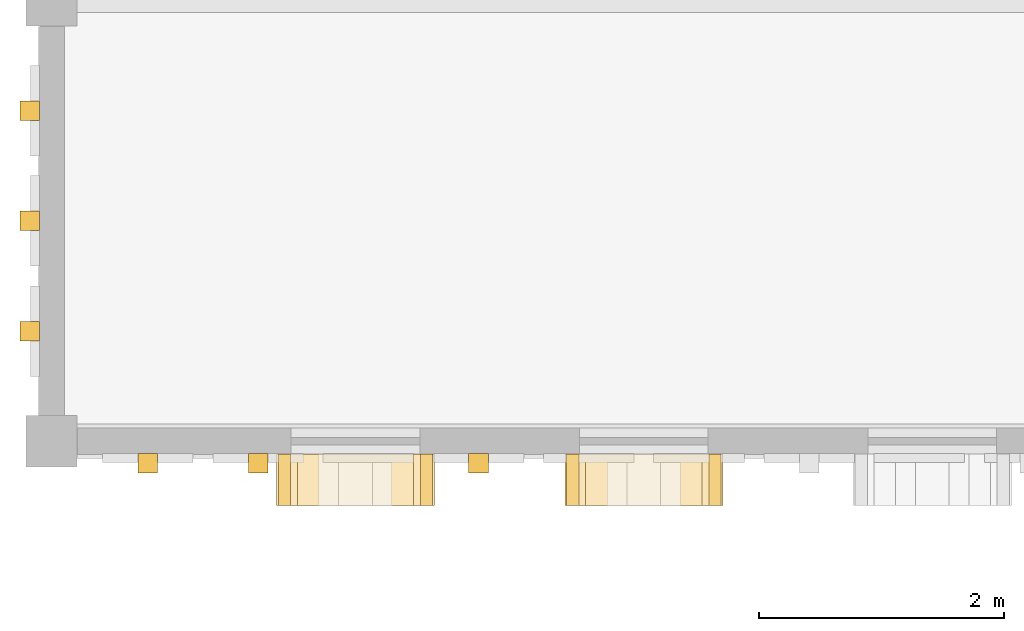
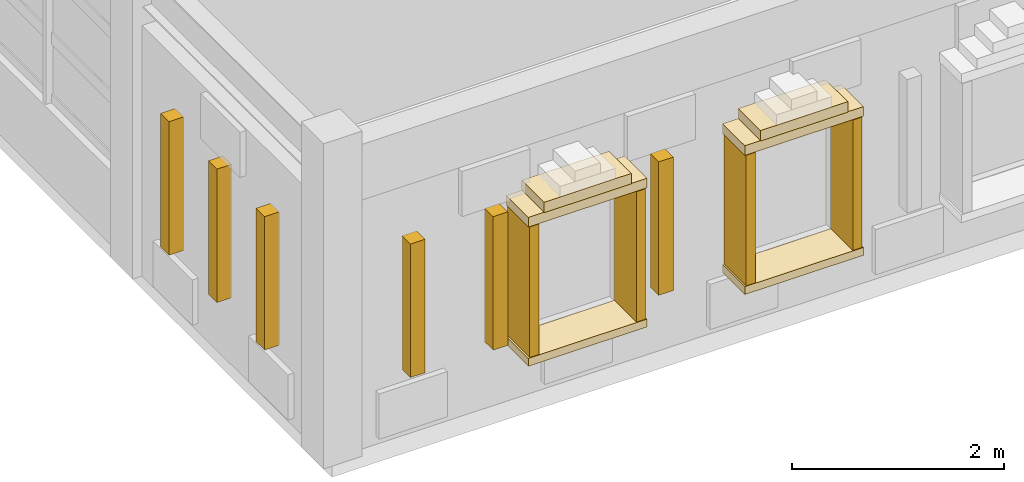
# One storey, part 20 of 25: 16 coverings.
"""IFC4 building model written with IfcOpenShell, lengths in metres."""

from ifc_helpers import new_model, si_unit, direction, frame, origin, origin_2d, place, context, subcontext, project, spatial, rectangle, extrude, material, layer, layer_set, type_object, element, save


model = new_model("IFC4")

# Units and contexts
model_context = context("Model", 3, precision=1e-05, world=origin(), true_north=direction((0.0, 1.0)))
body_context = subcontext(model_context, "Body", "Model", "MODEL_VIEW")
ifc_project = project(units=[si_unit("LENGTHUNIT", "METRE"), si_unit("AREAUNIT", "SQUARE_METRE"), si_unit("VOLUMEUNIT", "CUBIC_METRE"), si_unit("PLANEANGLEUNIT", "RADIAN"), si_unit("MASSUNIT", "GRAM", prefix="KILO")], contexts=[model_context])

# Site, building, storey
site_placement = place(None, origin())
site = spatial("IfcSite", under=ifc_project, at=site_placement, CompositionType="ELEMENT")
building_placement = place(site_placement, origin())
building = spatial("IfcBuilding", under=site, at=building_placement, Name="Nzembalo Square Collegiate School", CompositionType="ELEMENT")
storey_placement = place(building_placement, frame((0.0, 0.0, 21.080078125)))
storey = spatial("IfcBuildingStorey", under=building, at=storey_placement, Name="L05", CompositionType="ELEMENT", Elevation=21.080078125)

# Coverings
ifc_material_1 = material(Name="Glazed ochre ceramic lancet rib")
ifc_layer_1 = layer(ifc_material_1, 0.159912109375, Name="Glazed ochre ceramic lancet rib")
ifc_layer_set_1 = layer_set([ifc_layer_1], Name="Glazed ochre ceramic lancet rib")
covering_type_1 = type_object("IfcCoveringType", Name="CL02", PredefinedType="CLADDING", material=ifc_layer_set_1)
for number, where, z_axis, x_axis, name in (
    (1, (130.62255859375, 80.10009765625, 0.759765625), (0.0, 0.0, 1.0), (1.0, 0.0, 0.0), "Gothic ceramic rib CL02-Y0295-0"),
    (2, (130.62255859375, 81.0, 0.759765625), (0.0, 0.0, 1.0), (1.0, 0.0, 0.0), "Gothic ceramic rib CL02-Y0295-1"),
    (3, (130.62255859375, 81.89990234375, 0.759765625), (0.0, 0.0, 1.0), (1.0, 0.0, 0.0), "Gothic ceramic rib CL02-Y0295-2"),
    (4, (131.586669921875, 79.0224609375, 0.759765625), (0.0, 0.0, 1.0), (1.0, 0.0, 0.0), "Gothic ceramic rib CL02-X0301-0"),
    (5, (132.48681640625, 79.0224609375, 0.759765625), (0.0, 0.0, 1.0), (1.0, 0.0, 0.0), "Gothic ceramic rib CL02-X0301-1"),
    (6, (134.28662109375, 79.0224609375, 0.759765625), (0.0, 0.0, 1.0), (1.0, 0.0, 0.0), "Gothic ceramic rib CL02-X0301-3"),
):
    element("IfcCovering", number, at=place(storey_placement, frame(where, z_axis=z_axis, x_axis=x_axis)), inside=storey, type_object=covering_type_1, Name=name, PredefinedType="CLADDING", context=body_context, shape_type="SweptSolid", body=[
        extrude(rectangle(XDim=0.159912109375, YDim=0.159912109375, at=origin_2d()), origin(), (0.0, 0.0, 1.0), 1.533935546875),
    ])
ifc_material_2 = material(Name="Glazed celadon ceramic window frame")
ifc_layer_2 = layer(ifc_material_2, 0.419921875, Name="Glazed celadon ceramic window frame")
ifc_layer_set_2 = layer_set([ifc_layer_2], Name="Glazed celadon ceramic window frame")
covering_type_2 = type_object("IfcCoveringType", Name="WF01", PredefinedType="CLADDING", material=ifc_layer_set_2)
covering_1_placement = place(storey_placement, frame((133.281982421875, 78.887451171875, 2.2548828125), z_axis=(0.0, 0.0, 1.0), x_axis=(1.0, 0.0, 0.0)))
element("IfcCovering", 7, at=covering_1_placement, inside=storey, type_object=covering_type_2, Name="Deep lancet window hood WF01-1124", PredefinedType="CLADDING", context=body_context, shape_type="SweptSolid", body=[
    extrude(rectangle(XDim=1.2900390625, YDim=0.419921875, at=origin_2d()), origin(), (0.0, 0.0, 1.0), 0.110107421875),
])
covering_2_placement = place(storey_placement, frame((133.281982421875, 78.887451171875, 2.35986328125), z_axis=(0.0, 0.0, 1.0), x_axis=(1.0, 0.0, 0.0)))
element("IfcCovering", 8, at=covering_2_placement, inside=storey, type_object=covering_type_2, Name="Pointed lancet gable WF01-1124-1", PredefinedType="CLADDING", context=body_context, shape_type="SweptSolid", body=[
    extrude(rectangle(XDim=0.949951171875, YDim=0.419921875, at=origin_2d()), origin(), (0.0, 0.0, 1.0), 0.1201171875),
])
covering_3_placement = place(storey_placement, frame((133.281982421875, 78.887451171875, 0.65478515625), z_axis=(0.0, 0.0, 1.0), x_axis=(1.0, 0.0, 0.0)))
element("IfcCovering", 9, at=covering_3_placement, inside=storey, type_object=covering_type_2, Name="Deep lancet window sill WF01-1124", PredefinedType="CLADDING", context=body_context, shape_type="SweptSolid", body=[
    extrude(rectangle(XDim=1.2900390625, YDim=0.419921875, at=origin_2d()), origin(), (0.0, 0.0, 1.0), 0.090087890625),
])
for number, where, z_axis, x_axis, name in (
    (10, (132.701904296875, 78.887451171875, 0.75), (0.0, 0.0, 1.0), (1.0, 0.0, 0.0), "Deep lancet window jamb WF01-1124L"),
    (11, (133.86181640625, 78.887451171875, 0.75), (0.0, 0.0, 1.0), (1.0, 0.0, 0.0), "Deep lancet window jamb WF01-1124R"),
):
    element("IfcCovering", number, at=place(storey_placement, frame(where, z_axis=z_axis, x_axis=x_axis)), inside=storey, type_object=covering_type_2, Name=name, PredefinedType="CLADDING", context=body_context, shape_type="SweptSolid", body=[
        extrude(rectangle(XDim=0.10009765625, YDim=0.419921875, at=origin_2d()), origin(), (0.0, 0.0, 1.0), 1.5),
    ])
covering_4_placement = place(storey_placement, frame((135.63671875, 78.887451171875, 2.2548828125), z_axis=(0.0, 0.0, 1.0), x_axis=(1.0, 0.0, 0.0)))
element("IfcCovering", 12, at=covering_4_placement, inside=storey, type_object=covering_type_2, Name="Deep lancet window hood WF01-1125", PredefinedType="CLADDING", context=body_context, shape_type="SweptSolid", body=[
    extrude(rectangle(XDim=1.2900390625, YDim=0.419921875, at=origin_2d()), origin(), (0.0, 0.0, 1.0), 0.110107421875),
])
covering_5_placement = place(storey_placement, frame((135.63671875, 78.887451171875, 2.35986328125), z_axis=(0.0, 0.0, 1.0), x_axis=(1.0, 0.0, 0.0)))
element("IfcCovering", 13, at=covering_5_placement, inside=storey, type_object=covering_type_2, Name="Pointed lancet gable WF01-1125-1", PredefinedType="CLADDING", context=body_context, shape_type="SweptSolid", body=[
    extrude(rectangle(XDim=0.949951171875, YDim=0.419921875, at=origin_2d()), origin(), (0.0, 0.0, 1.0), 0.1201171875),
])
covering_6_placement = place(storey_placement, frame((135.63671875, 78.887451171875, 0.65478515625), z_axis=(0.0, 0.0, 1.0), x_axis=(1.0, 0.0, 0.0)))
element("IfcCovering", 14, at=covering_6_placement, inside=storey, type_object=covering_type_2, Name="Deep lancet window sill WF01-1125", PredefinedType="CLADDING", context=body_context, shape_type="SweptSolid", body=[
    extrude(rectangle(XDim=1.2900390625, YDim=0.419921875, at=origin_2d()), origin(), (0.0, 0.0, 1.0), 0.090087890625),
])
for number, where, z_axis, x_axis, name in (
    (15, (135.056640625, 78.887451171875, 0.75), (0.0, 0.0, 1.0), (1.0, 0.0, 0.0), "Deep lancet window jamb WF01-1125L"),
    (16, (136.216796875, 78.887451171875, 0.75), (0.0, 0.0, 1.0), (1.0, 0.0, 0.0), "Deep lancet window jamb WF01-1125R"),
):
    element("IfcCovering", number, at=place(storey_placement, frame(where, z_axis=z_axis, x_axis=x_axis)), inside=storey, type_object=covering_type_2, Name=name, PredefinedType="CLADDING", context=body_context, shape_type="SweptSolid", body=[
        extrude(rectangle(XDim=0.10009765625, YDim=0.419921875, at=origin_2d()), origin(), (0.0, 0.0, 1.0), 1.5),
    ])

save(model, "model.ifc")
